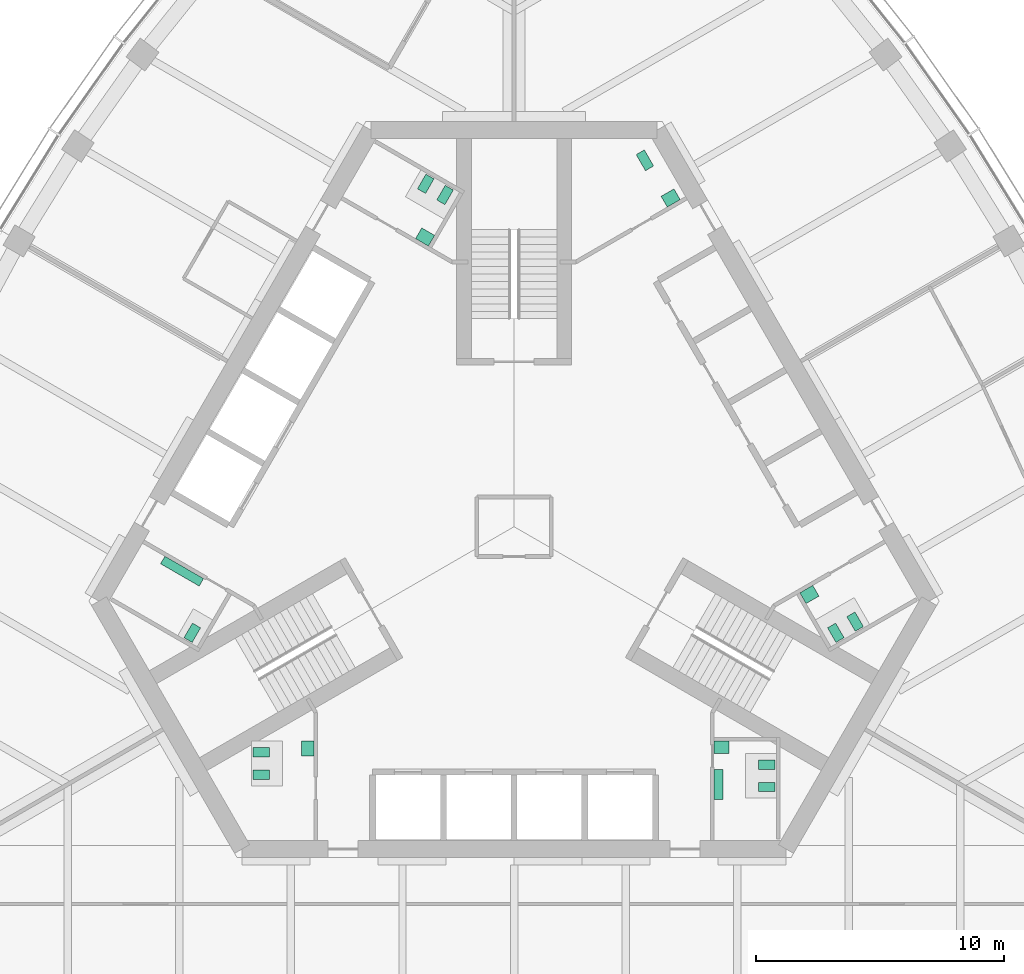
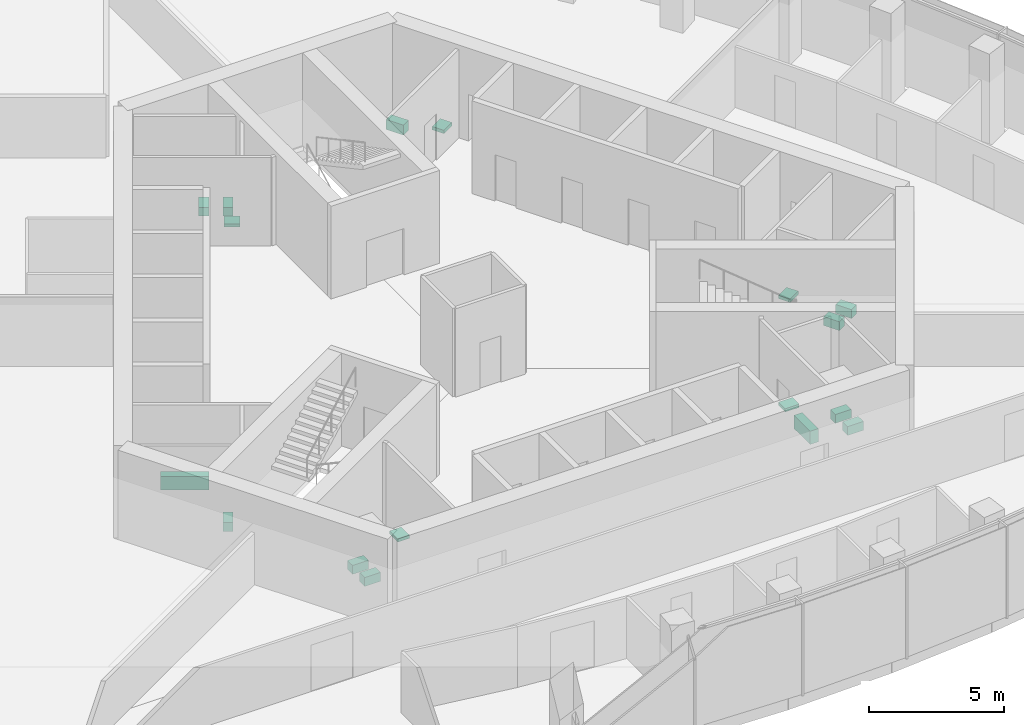
# One storey, part 15 of 16: 17 sanitary terminals.
"""IFC4 building model written with IfcOpenShell, lengths in metres."""

from ifc_helpers import new_model, si_unit, direction, frame, origin, place, context, subcontext, project, spatial, polyline, outline, extrude, material, type_object, element, save


model = new_model("IFC4")

# Units and contexts
model_context = context("Model", 3, precision=1e-05, world=origin(), true_north=direction((0.0, 1.0)))
body_context = subcontext(model_context, "Body", "Model", "MODEL_VIEW")
ifc_project = project(units=[si_unit("LENGTHUNIT", "METRE"), si_unit("AREAUNIT", "SQUARE_METRE"), si_unit("VOLUMEUNIT", "CUBIC_METRE"), si_unit("PLANEANGLEUNIT", "RADIAN"), si_unit("MASSUNIT", "GRAM", prefix="KILO")], contexts=[model_context])

# Site, building, storey
site_placement = place(None, origin())
site = spatial("IfcSite", under=ifc_project, at=site_placement, CompositionType="ELEMENT")
building_placement = place(site_placement, origin())
building = spatial("IfcBuilding", under=site, at=building_placement, Name="Trefoil Bronze Tower", CompositionType="ELEMENT")
storey_placement = place(building_placement, frame((0.0, 0.0, 293.10009765625)))
storey = spatial("IfcBuildingStorey", under=building, at=storey_placement, Name="L67", CompositionType="ELEMENT", Elevation=293.10009765625)

# Sanitary terminals
ifc_material_1 = material(Name="Vitreous china", Category="ceramic")
sanitary_terminal_type_1 = type_object("IfcSanitaryTerminalType", Name="Accessible WC pan", PredefinedType="TOILETPAN", material=ifc_material_1)
sanitary_terminal_1_placement = place(storey_placement, origin())
element("IfcSanitaryTerminal", 1, at=sanitary_terminal_1_placement, inside=storey, type_object=sanitary_terminal_type_1, Name="WC pan 1 Accessible WC L67", PredefinedType="TOILETPAN", context=body_context, shape_type="SweptSolid", body=[
    extrude(outline(polyline([(5.300537109375, 14.359130859375), (4.925537109375, 15.008544921875), (5.254638671875, 15.198486328125), (5.629638671875, 14.549072265625), (5.300537109375, 14.359130859375)])), origin(), (0.0, 0.0, 1.0), 0.449951171875),
])
ifc_material_2 = material(Name="Vitreous china", Category="ceramic")
sanitary_terminal_type_2 = type_object("IfcSanitaryTerminalType", Name="Accessible basin", PredefinedType="WASHHANDBASIN", material=ifc_material_2)
sanitary_terminal_2_placement = place(storey_placement, frame((0.0, 0.0, 0.64990234375)))
element("IfcSanitaryTerminal", 2, at=sanitary_terminal_2_placement, inside=storey, type_object=sanitary_terminal_type_2, Name="Wash basin Accessible WC L67", PredefinedType="WASHHANDBASIN", context=body_context, shape_type="SweptSolid", body=[
    extrude(outline(polyline([(6.181640625, 12.89306640625), (5.931640625, 13.326171875), (6.451171875, 13.626220703125), (6.701171875, 13.193115234375), (6.181640625, 12.89306640625)])), origin(), (0.0, 0.0, 1.0), 0.14990234375),
])
ifc_material_3 = material(Name="Vitreous china", Category="ceramic")
sanitary_terminal_type_3 = type_object("IfcSanitaryTerminalType", Name="Urinal range 2 urinals", PredefinedType="URINAL", material=ifc_material_3)
sanitary_terminal_3_placement = place(storey_placement, frame((0.0, 0.0, 0.39990234375)))
element("IfcSanitaryTerminal", 3, at=sanitary_terminal_3_placement, inside=storey, type_object=sanitary_terminal_type_3, Name="Urinal range WC (men) L67", PredefinedType="URINAL", context=body_context, shape_type="SweptSolid", body=[
    extrude(outline(polyline([(8.074951171875, -9.800048828125), (8.425048828125, -9.800048828125), (8.425048828125, -11.0), (8.074951171875, -11.0), (8.074951171875, -9.800048828125)])), origin(), (0.0, 0.0, 1.0), 0.60009765625),
])
ifc_material_4 = material(Name="Vitreous china", Category="ceramic")
sanitary_terminal_type_4 = type_object("IfcSanitaryTerminalType", Name="Urinal range 3 urinals", PredefinedType="URINAL", material=ifc_material_4)
sanitary_terminal_4_placement = place(storey_placement, frame((0.0, 0.0, 0.39990234375)))
element("IfcSanitaryTerminal", 4, at=sanitary_terminal_4_placement, inside=storey, type_object=sanitary_terminal_type_4, Name="Urinal range WC (men) L67", PredefinedType="URINAL", context=body_context, shape_type="SweptSolid", body=[
    extrude(outline(polyline([(-12.524658203125, -2.09326171875), (-12.699462890625, -2.396240234375), (-14.25830078125, -1.496337890625), (-14.08349609375, -1.193115234375), (-12.524658203125, -2.09326171875)])), origin(), (0.0, 0.0, 1.0), 0.60009765625),
])
ifc_material_5 = material(Name="Solid surface vanity", Category="plastic")
sanitary_terminal_type_5 = type_object("IfcSanitaryTerminalType", Name="Vanity unit 1 basins", PredefinedType="WASHHANDBASIN", material=ifc_material_5)
sanitary_terminal_5_placement = place(storey_placement, frame((0.0, 0.0, 0.75)))
element("IfcSanitaryTerminal", 5, at=sanitary_terminal_5_placement, inside=storey, type_object=sanitary_terminal_type_5, Name="Vanity unit WC (men) L67", PredefinedType="WASHHANDBASIN", context=body_context, shape_type="SweptSolid", body=[
    extrude(outline(polyline([(8.074951171875, -8.64990234375), (8.675048828125, -8.64990234375), (8.675048828125, -9.14990234375), (8.074951171875, -9.14990234375), (8.074951171875, -8.64990234375)])), origin(), (0.0, 0.0, 1.0), 0.14990234375),
])
sanitary_terminal_6_placement = place(storey_placement, frame((0.0, 0.0, 0.75)))
element("IfcSanitaryTerminal", 6, at=sanitary_terminal_6_placement, inside=storey, type_object=sanitary_terminal_type_5, Name="Vanity unit WC (women) L67", PredefinedType="WASHHANDBASIN", context=body_context, shape_type="SweptSolid", body=[
    extrude(outline(polyline([(11.528564453125, -2.668212890625), (11.778564453125, -3.10107421875), (12.29833984375, -2.80126953125), (12.04833984375, -2.3681640625), (11.528564453125, -2.668212890625)])), origin(), (0.0, 0.0, 1.0), 0.14990234375),
])
sanitary_terminal_7_placement = place(storey_placement, frame((0.0, 0.0, 0.75)))
element("IfcSanitaryTerminal", 7, at=sanitary_terminal_7_placement, inside=storey, type_object=sanitary_terminal_type_5, Name="Vanity unit WC (women) L67", PredefinedType="WASHHANDBASIN", context=body_context, shape_type="SweptSolid", body=[
    extrude(outline(polyline([(-3.45361328125, 11.318115234375), (-3.20361328125, 11.751220703125), (-3.72314453125, 12.05126953125), (-3.97314453125, 11.6181640625), (-3.45361328125, 11.318115234375)])), origin(), (0.0, 0.0, 1.0), 0.14990234375),
])
sanitary_terminal_8_placement = place(storey_placement, frame((0.0, 0.0, 0.75)))
element("IfcSanitaryTerminal", 8, at=sanitary_terminal_8_placement, inside=storey, type_object=sanitary_terminal_type_5, Name="Vanity unit WC (women) L67", PredefinedType="WASHHANDBASIN", context=body_context, shape_type="SweptSolid", body=[
    extrude(outline(polyline([(-8.074951171875, -8.64990234375), (-8.574951171875, -8.64990234375), (-8.574951171875, -9.25), (-8.074951171875, -9.25), (-8.074951171875, -8.64990234375)])), origin(), (0.0, 0.0, 1.0), 0.14990234375),
])
ifc_material_6 = material(Name="Vitreous china", Category="ceramic")
sanitary_terminal_type_6 = type_object("IfcSanitaryTerminalType", Name="WC pan", PredefinedType="TOILETPAN", material=ifc_material_6)
sanitary_terminal_9_placement = place(storey_placement, origin())
element("IfcSanitaryTerminal", 9, at=sanitary_terminal_9_placement, inside=storey, type_object=sanitary_terminal_type_6, Name="WC pan 1 WC (men) L67", PredefinedType="TOILETPAN", context=body_context, shape_type="SweptSolid", body=[
    extrude(outline(polyline([(9.85498046875, -9.409912109375), (10.534912109375, -9.409912109375), (10.534912109375, -9.7900390625), (9.85498046875, -9.7900390625), (9.85498046875, -9.409912109375)])), origin(), (0.0, 0.0, 1.0), 0.39990234375),
])
sanitary_terminal_10_placement = place(storey_placement, origin())
element("IfcSanitaryTerminal", 10, at=sanitary_terminal_10_placement, inside=storey, type_object=sanitary_terminal_type_6, Name="WC pan 2 WC (men) L67", PredefinedType="TOILETPAN", context=body_context, shape_type="SweptSolid", body=[
    extrude(outline(polyline([(9.85498046875, -10.31005859375), (10.534912109375, -10.31005859375), (10.534912109375, -10.68994140625), (9.85498046875, -10.68994140625), (9.85498046875, -10.31005859375)])), origin(), (0.0, 0.0, 1.0), 0.39990234375),
])
sanitary_terminal_11_placement = place(storey_placement, origin())
element("IfcSanitaryTerminal", 11, at=sanitary_terminal_11_placement, inside=storey, type_object=sanitary_terminal_type_6, Name="WC pan 1 WC (women) L67", PredefinedType="TOILETPAN", context=body_context, shape_type="SweptSolid", body=[
    extrude(outline(polyline([(12.643798828125, -4.07958984375), (12.98388671875, -4.66845703125), (13.31298828125, -4.478515625), (12.972900390625, -3.8896484375), (12.643798828125, -4.07958984375)])), origin(), (0.0, 0.0, 1.0), 0.39990234375),
])
sanitary_terminal_12_placement = place(storey_placement, origin())
element("IfcSanitaryTerminal", 12, at=sanitary_terminal_12_placement, inside=storey, type_object=sanitary_terminal_type_6, Name="WC pan 2 WC (women) L67", PredefinedType="TOILETPAN", context=body_context, shape_type="SweptSolid", body=[
    extrude(outline(polyline([(13.423095703125, -3.629638671875), (13.76318359375, -4.218505859375), (14.09228515625, -4.028564453125), (13.752197265625, -3.439697265625), (13.423095703125, -3.629638671875)])), origin(), (0.0, 0.0, 1.0), 0.39990234375),
])
sanitary_terminal_13_placement = place(storey_placement, origin())
element("IfcSanitaryTerminal", 13, at=sanitary_terminal_13_placement, inside=storey, type_object=sanitary_terminal_type_6, Name="WC pan 1 WC (women) L67", PredefinedType="TOILETPAN", context=body_context, shape_type="SweptSolid", body=[
    extrude(outline(polyline([(-2.788818359375, 12.98974609375), (-2.44873046875, 13.57861328125), (-2.77783203125, 13.7685546875), (-3.117919921875, 13.1796875), (-2.788818359375, 12.98974609375)])), origin(), (0.0, 0.0, 1.0), 0.39990234375),
])
sanitary_terminal_14_placement = place(storey_placement, origin())
element("IfcSanitaryTerminal", 14, at=sanitary_terminal_14_placement, inside=storey, type_object=sanitary_terminal_type_6, Name="WC pan 2 WC (women) L67", PredefinedType="TOILETPAN", context=body_context, shape_type="SweptSolid", body=[
    extrude(outline(polyline([(-3.568115234375, 13.439697265625), (-3.228271484375, 14.028564453125), (-3.557373046875, 14.218505859375), (-3.897216796875, 13.629638671875), (-3.568115234375, 13.439697265625)])), origin(), (0.0, 0.0, 1.0), 0.39990234375),
])
sanitary_terminal_15_placement = place(storey_placement, origin())
element("IfcSanitaryTerminal", 15, at=sanitary_terminal_15_placement, inside=storey, type_object=sanitary_terminal_type_6, Name="WC pan 1 WC (men) L67", PredefinedType="TOILETPAN", context=body_context, shape_type="SweptSolid", body=[
    extrude(outline(polyline([(-12.643798828125, -4.07958984375), (-12.98388671875, -4.66845703125), (-13.31298828125, -4.478515625), (-12.972900390625, -3.8896484375), (-12.643798828125, -4.07958984375)])), origin(), (0.0, 0.0, 1.0), 0.39990234375),
])
sanitary_terminal_16_placement = place(storey_placement, origin())
element("IfcSanitaryTerminal", 16, at=sanitary_terminal_16_placement, inside=storey, type_object=sanitary_terminal_type_6, Name="WC pan 1 WC (women) L67", PredefinedType="TOILETPAN", context=body_context, shape_type="SweptSolid", body=[
    extrude(outline(polyline([(-9.85498046875, -8.909912109375), (-10.534912109375, -8.909912109375), (-10.534912109375, -9.2900390625), (-9.85498046875, -9.2900390625), (-9.85498046875, -8.909912109375)])), origin(), (0.0, 0.0, 1.0), 0.39990234375),
])
sanitary_terminal_17_placement = place(storey_placement, origin())
element("IfcSanitaryTerminal", 17, at=sanitary_terminal_17_placement, inside=storey, type_object=sanitary_terminal_type_6, Name="WC pan 2 WC (women) L67", PredefinedType="TOILETPAN", context=body_context, shape_type="SweptSolid", body=[
    extrude(outline(polyline([(-9.85498046875, -9.81005859375), (-10.534912109375, -9.81005859375), (-10.534912109375, -10.18994140625), (-9.85498046875, -10.18994140625), (-9.85498046875, -9.81005859375)])), origin(), (0.0, 0.0, 1.0), 0.39990234375),
])

save(model, "model.ifc")
